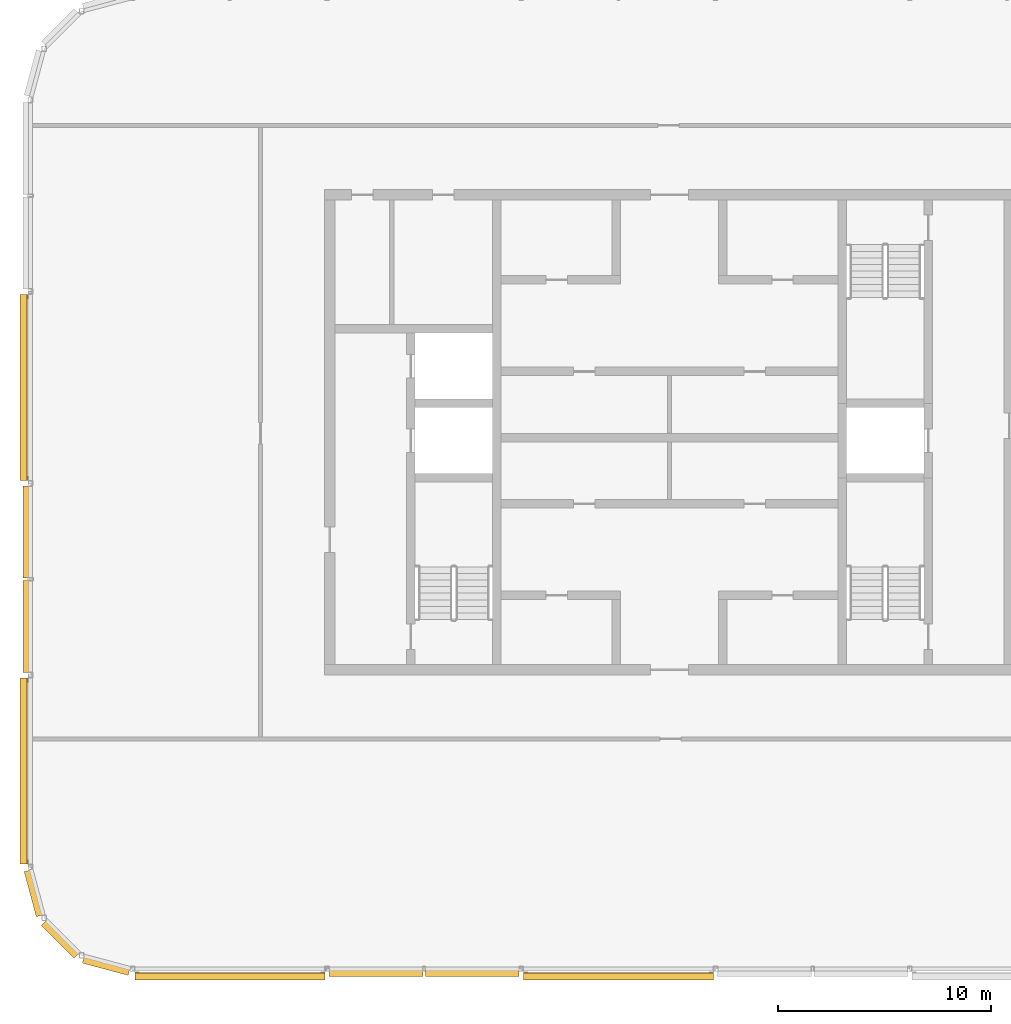
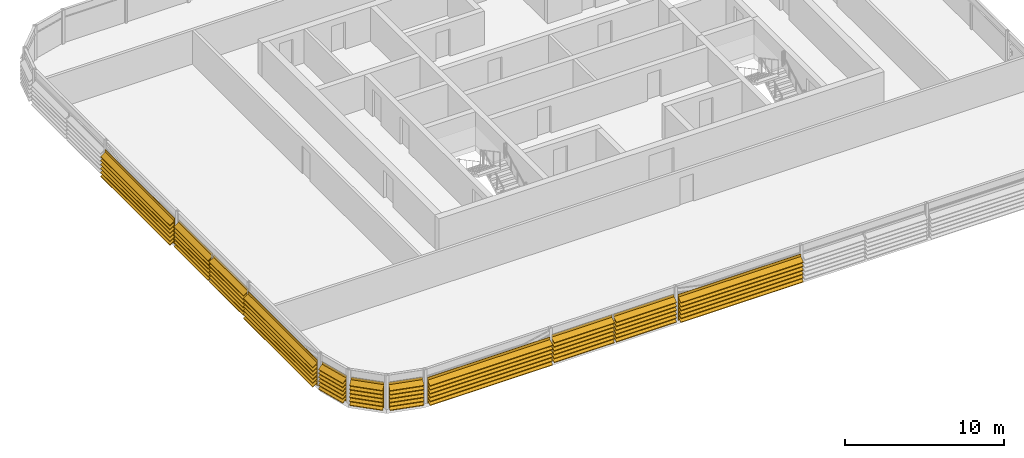
# One storey, part 23 of 27: 11 shading devices.
"""IFC4 building model written with IfcOpenShell, lengths in metres."""

from ifc_helpers import new_model, si_unit, direction, frame, origin, place, context, subcontext, project, spatial, polyline, outline, extrude, material, type_object, element, save


model = new_model("IFC4")

# Units and contexts
model_context = context("Model", 3, precision=1e-05, world=origin(), true_north=direction((0.0, 1.0)))
body_context = subcontext(model_context, "Body", "Model", "MODEL_VIEW")
ifc_project = project(units=[si_unit("LENGTHUNIT", "METRE"), si_unit("AREAUNIT", "SQUARE_METRE"), si_unit("VOLUMEUNIT", "CUBIC_METRE"), si_unit("PLANEANGLEUNIT", "RADIAN"), si_unit("MASSUNIT", "GRAM", prefix="KILO")], contexts=[model_context])

# Site, building, storey
site_placement = place(None, origin())
site = spatial("IfcSite", under=ifc_project, at=site_placement, CompositionType="ELEMENT")
building_placement = place(site_placement, origin())
building = spatial("IfcBuilding", under=site, at=building_placement, Name="Madar Terraces", CompositionType="ELEMENT")
storey_placement = place(building_placement, frame((0.0, 0.0, 314.300048828125)))
storey = spatial("IfcBuildingStorey", under=building, at=storey_placement, Name="L81", CompositionType="ELEMENT", Elevation=314.300048828125)

# Shading devices
ifc_material = material(Name="Aluminium, black anodised", Category="aluminium")
shading_device_type = type_object("IfcShadingDeviceType", Name="Crown louvre bank", PredefinedType="USERDEFINED", material=ifc_material)
shading_device_1_placement = place(storey_placement, frame((6.1015625, 1.199951171875, 0.0), z_axis=(1.0, 0.0, 0.0), x_axis=(0.0, 1.0, 0.0)))
element("IfcShadingDevice", 1, at=shading_device_1_placement, inside=storey, type_object=shading_device_type, Name="LOUVRE bank L81 1.1", ObjectType="LOUVRE", PredefinedType="USERDEFINED", context=body_context, shape_type="SweptSolid", body=[
    extrude(outline(polyline([(-0.156982421875, 0.0), (-0.18701171875, 0.0), (-0.18701171875, 0.24951171875), (-0.5146484375, 0.02001953125), (-0.5146484375, 0.06884765625), (-0.18701171875, 0.29833984375), (-0.18701171875, 0.54931640625), (-0.5146484375, 0.320068359375), (-0.5146484375, 0.368896484375), (-0.18701171875, 0.59814453125), (-0.18701171875, 0.849365234375), (-0.5146484375, 0.6201171875), (-0.5146484375, 0.6689453125), (-0.18701171875, 0.898193359375), (-0.18701171875, 1.1494140625), (-0.5146484375, 0.919921875), (-0.5146484375, 0.96875), (-0.18701171875, 1.1982421875), (-0.18701171875, 1.449462890625), (-0.5146484375, 1.219970703125), (-0.5146484375, 1.268798828125), (-0.18701171875, 1.498291015625), (-0.18701171875, 1.74951171875), (-0.5146484375, 1.52001953125), (-0.5146484375, 1.56884765625), (-0.18701171875, 1.79833984375), (-0.18701171875, 1.998046875), (-0.156982421875, 1.998046875), (-0.156982421875, 0.0)])), origin(), (0.0, 0.0, 1.0), 8.916748046875),
])
shading_device_2_placement = place(storey_placement, frame((15.2216796875, 1.199951171875, 0.0), z_axis=(1.0, 0.0, 0.0), x_axis=(0.0, 1.0, 0.0)))
element("IfcShadingDevice", 2, at=shading_device_2_placement, inside=storey, type_object=shading_device_type, Name="LOUVRE bank L81 2.1", ObjectType="LOUVRE", PredefinedType="USERDEFINED", context=body_context, shape_type="SweptSolid", body=[
    extrude(outline(polyline([(0.014892578125, 0.0), (-0.014892578125, 0.0), (-0.014892578125, 0.24951171875), (-0.3427734375, 0.02001953125), (-0.3427734375, 0.06884765625), (-0.014892578125, 0.29833984375), (-0.014892578125, 0.54931640625), (-0.3427734375, 0.320068359375), (-0.3427734375, 0.368896484375), (-0.014892578125, 0.59814453125), (-0.014892578125, 0.849365234375), (-0.3427734375, 0.6201171875), (-0.3427734375, 0.6689453125), (-0.014892578125, 0.898193359375), (-0.014892578125, 1.1494140625), (-0.3427734375, 0.919921875), (-0.3427734375, 0.96875), (-0.014892578125, 1.1982421875), (-0.014892578125, 1.449462890625), (-0.3427734375, 1.219970703125), (-0.3427734375, 1.268798828125), (-0.014892578125, 1.498291015625), (-0.014892578125, 1.74951171875), (-0.3427734375, 1.52001953125), (-0.3427734375, 1.56884765625), (-0.014892578125, 1.79833984375), (-0.014892578125, 1.998046875), (0.014892578125, 1.998046875), (0.014892578125, 0.0)])), origin(), (0.0, 0.0, 1.0), 4.394775390625),
])
shading_device_3_placement = place(storey_placement, frame((19.743408203125, 1.199951171875, 0.0), z_axis=(1.0, 0.0, 0.0), x_axis=(0.0, 1.0, 0.0)))
element("IfcShadingDevice", 3, at=shading_device_3_placement, inside=storey, type_object=shading_device_type, Name="LOUVRE bank L81 2.2", ObjectType="LOUVRE", PredefinedType="USERDEFINED", context=body_context, shape_type="SweptSolid", body=[
    extrude(outline(polyline([(0.014892578125, 0.0), (-0.014892578125, 0.0), (-0.014892578125, 0.24951171875), (-0.3427734375, 0.02001953125), (-0.3427734375, 0.06884765625), (-0.014892578125, 0.29833984375), (-0.014892578125, 0.54931640625), (-0.3427734375, 0.320068359375), (-0.3427734375, 0.368896484375), (-0.014892578125, 0.59814453125), (-0.014892578125, 0.849365234375), (-0.3427734375, 0.6201171875), (-0.3427734375, 0.6689453125), (-0.014892578125, 0.898193359375), (-0.014892578125, 1.1494140625), (-0.3427734375, 0.919921875), (-0.3427734375, 0.96875), (-0.014892578125, 1.1982421875), (-0.014892578125, 1.449462890625), (-0.3427734375, 1.219970703125), (-0.3427734375, 1.268798828125), (-0.014892578125, 1.498291015625), (-0.014892578125, 1.74951171875), (-0.3427734375, 1.52001953125), (-0.3427734375, 1.56884765625), (-0.014892578125, 1.79833984375), (-0.014892578125, 1.998046875), (0.014892578125, 1.998046875), (0.014892578125, 0.0)])), origin(), (0.0, 0.0, 1.0), 4.39501953125),
])
shading_device_4_placement = place(storey_placement, frame((24.341552734375, 1.199951171875, 0.0), z_axis=(1.0, 0.0, 0.0), x_axis=(0.0, 1.0, 0.0)))
element("IfcShadingDevice", 4, at=shading_device_4_placement, inside=storey, type_object=shading_device_type, Name="LOUVRE bank L81 3.1", ObjectType="LOUVRE", PredefinedType="USERDEFINED", context=body_context, shape_type="SweptSolid", body=[
    extrude(outline(polyline([(-0.156982421875, 0.0), (-0.18701171875, 0.0), (-0.18701171875, 0.24951171875), (-0.5146484375, 0.02001953125), (-0.5146484375, 0.06884765625), (-0.18701171875, 0.29833984375), (-0.18701171875, 0.54931640625), (-0.5146484375, 0.320068359375), (-0.5146484375, 0.368896484375), (-0.18701171875, 0.59814453125), (-0.18701171875, 0.849365234375), (-0.5146484375, 0.6201171875), (-0.5146484375, 0.6689453125), (-0.18701171875, 0.898193359375), (-0.18701171875, 1.1494140625), (-0.5146484375, 0.919921875), (-0.5146484375, 0.96875), (-0.18701171875, 1.1982421875), (-0.18701171875, 1.449462890625), (-0.5146484375, 1.219970703125), (-0.5146484375, 1.268798828125), (-0.18701171875, 1.498291015625), (-0.18701171875, 1.74951171875), (-0.5146484375, 1.52001953125), (-0.5146484375, 1.56884765625), (-0.18701171875, 1.79833984375), (-0.18701171875, 1.998046875), (-0.156982421875, 1.998046875), (-0.156982421875, 0.0)])), origin(), (0.0, 0.0, 1.0), 8.916748046875),
])
shading_device_5_placement = place(storey_placement, frame((1.199951171875, 32.873046875, 0.0), z_axis=(0.0, -1.0, 0.0), x_axis=(1.0, 0.0, 0.0)))
element("IfcShadingDevice", 5, at=shading_device_5_placement, inside=storey, type_object=shading_device_type, Name="LOUVRE bank L81 25.1", ObjectType="LOUVRE", PredefinedType="USERDEFINED", context=body_context, shape_type="SweptSolid", body=[
    extrude(outline(polyline([(-0.131591796875, 0.0), (-0.16162109375, 0.0), (-0.16162109375, 0.24951171875), (-0.4892578125, 0.02001953125), (-0.4892578125, 0.06884765625), (-0.16162109375, 0.29833984375), (-0.16162109375, 0.54931640625), (-0.4892578125, 0.320068359375), (-0.4892578125, 0.368896484375), (-0.16162109375, 0.59814453125), (-0.16162109375, 0.849365234375), (-0.4892578125, 0.6201171875), (-0.4892578125, 0.6689453125), (-0.16162109375, 0.898193359375), (-0.16162109375, 1.1494140625), (-0.4892578125, 0.919921875), (-0.4892578125, 0.96875), (-0.16162109375, 1.1982421875), (-0.16162109375, 1.449462890625), (-0.4892578125, 1.219970703125), (-0.4892578125, 1.268798828125), (-0.16162109375, 1.498291015625), (-0.16162109375, 1.74951171875), (-0.4892578125, 1.52001953125), (-0.4892578125, 1.56884765625), (-0.16162109375, 1.79833984375), (-0.16162109375, 1.998046875), (-0.131591796875, 1.998046875), (-0.131591796875, 0.0)])), origin(), (0.0, 0.0, 1.0), 8.74609375),
])
for number, where, z_axis, x_axis, name in (
    (6, (1.199951171875, 23.873046875, 0.0), (0.0, -1.0, 0.0), (1.0, 0.0, 0.0), "LOUVRE bank L81 26.1"),
    (7, (1.199951171875, 19.4365234375, 0.0), (0.0, -1.0, 0.0), (1.0, 0.0, 0.0), "LOUVRE bank L81 26.2"),
):
    element("IfcShadingDevice", number, at=place(storey_placement, frame(where, z_axis=z_axis, x_axis=x_axis)), inside=storey, type_object=shading_device_type, Name=name, ObjectType="LOUVRE", PredefinedType="USERDEFINED", context=body_context, shape_type="SweptSolid", body=[
        extrude(outline(polyline([(0.014892578125, 0.0), (-0.014892578125, 0.0), (-0.014892578125, 0.24951171875), (-0.3427734375, 0.02001953125), (-0.3427734375, 0.06884765625), (-0.014892578125, 0.29833984375), (-0.014892578125, 0.54931640625), (-0.3427734375, 0.320068359375), (-0.3427734375, 0.368896484375), (-0.014892578125, 0.59814453125), (-0.014892578125, 0.849365234375), (-0.3427734375, 0.6201171875), (-0.3427734375, 0.6689453125), (-0.014892578125, 0.898193359375), (-0.014892578125, 1.1494140625), (-0.3427734375, 0.919921875), (-0.3427734375, 0.96875), (-0.014892578125, 1.1982421875), (-0.014892578125, 1.449462890625), (-0.3427734375, 1.219970703125), (-0.3427734375, 1.268798828125), (-0.014892578125, 1.498291015625), (-0.014892578125, 1.74951171875), (-0.3427734375, 1.52001953125), (-0.3427734375, 1.56884765625), (-0.014892578125, 1.79833984375), (-0.014892578125, 1.998046875), (0.014892578125, 1.998046875), (0.014892578125, 0.0)])), origin(), (0.0, 0.0, 1.0), 4.3095703125),
    ])
shading_device_6_placement = place(storey_placement, frame((1.199951171875, 14.873046875, 0.0), z_axis=(0.0, -1.0, 0.0), x_axis=(1.0, 0.0, 0.0)))
element("IfcShadingDevice", 8, at=shading_device_6_placement, inside=storey, type_object=shading_device_type, Name="LOUVRE bank L81 27.1", ObjectType="LOUVRE", PredefinedType="USERDEFINED", context=body_context, shape_type="SweptSolid", body=[
    extrude(outline(polyline([(-0.131591796875, 0.0), (-0.16162109375, 0.0), (-0.16162109375, 0.24951171875), (-0.4892578125, 0.02001953125), (-0.4892578125, 0.06884765625), (-0.16162109375, 0.29833984375), (-0.16162109375, 0.54931640625), (-0.4892578125, 0.320068359375), (-0.4892578125, 0.368896484375), (-0.16162109375, 0.59814453125), (-0.16162109375, 0.849365234375), (-0.4892578125, 0.6201171875), (-0.4892578125, 0.6689453125), (-0.16162109375, 0.898193359375), (-0.16162109375, 1.1494140625), (-0.4892578125, 0.919921875), (-0.4892578125, 0.96875), (-0.16162109375, 1.1982421875), (-0.16162109375, 1.449462890625), (-0.4892578125, 1.219970703125), (-0.4892578125, 1.268798828125), (-0.16162109375, 1.498291015625), (-0.16162109375, 1.74951171875), (-0.4892578125, 1.52001953125), (-0.4892578125, 1.56884765625), (-0.16162109375, 1.79833984375), (-0.16162109375, 1.998046875), (-0.131591796875, 1.998046875), (-0.131591796875, 0.0)])), origin(), (0.0, 0.0, 1.0), 8.74609375),
])
shading_device_7_placement = place(storey_placement, frame((1.238525390625, 5.856201171875, 0.0), z_axis=(0.258788169352, -0.965934098893, 0.0), x_axis=(0.965934098893, 0.258788169352, 0.0)))
element("IfcShadingDevice", 9, at=shading_device_7_placement, inside=storey, type_object=shading_device_type, Name="LOUVRE bank L81 28.1", ObjectType="LOUVRE", PredefinedType="USERDEFINED", context=body_context, shape_type="SweptSolid", body=[
    extrude(outline(polyline([(0.014892578125, 0.0), (-0.014892578125, 0.0), (-0.014892578125, 0.24951171875), (-0.3427734375, 0.02001953125), (-0.3427734375, 0.06884765625), (-0.014892578125, 0.29833984375), (-0.014892578125, 0.54931640625), (-0.3427734375, 0.320068359375), (-0.3427734375, 0.368896484375), (-0.014892578125, 0.59814453125), (-0.014892578125, 0.849365234375), (-0.3427734375, 0.6201171875), (-0.3427734375, 0.6689453125), (-0.014892578125, 0.898193359375), (-0.014892578125, 1.1494140625), (-0.3427734375, 0.919921875), (-0.3427734375, 0.96875), (-0.014892578125, 1.1982421875), (-0.014892578125, 1.449462890625), (-0.3427734375, 1.219970703125), (-0.3427734375, 1.268798828125), (-0.014892578125, 1.498291015625), (-0.014892578125, 1.74951171875), (-0.3427734375, 1.52001953125), (-0.3427734375, 1.56884765625), (-0.014892578125, 1.79833984375), (-0.014892578125, 1.998046875), (0.014892578125, 1.998046875), (0.014892578125, 0.0)])), origin(), (0.0, 0.0, 1.0), 2.186767578125),
])
shading_device_8_placement = place(storey_placement, frame((1.957275390625, 3.485595703125, 0.0), z_axis=(0.707106781187, -0.707106781187, 0.0), x_axis=(0.707106781187, 0.707106781187, 0.0)))
element("IfcShadingDevice", 10, at=shading_device_8_placement, inside=storey, type_object=shading_device_type, Name="LOUVRE bank L81 29.1", ObjectType="LOUVRE", PredefinedType="USERDEFINED", context=body_context, shape_type="SweptSolid", body=[
    extrude(outline(polyline([(0.014892578125, 0.0), (-0.014892578125, 0.0), (-0.014892578125, 0.24951171875), (-0.3427734375, 0.02001953125), (-0.3427734375, 0.06884765625), (-0.014892578125, 0.29833984375), (-0.014892578125, 0.54931640625), (-0.3427734375, 0.320068359375), (-0.3427734375, 0.368896484375), (-0.014892578125, 0.59814453125), (-0.014892578125, 0.849365234375), (-0.3427734375, 0.6201171875), (-0.3427734375, 0.6689453125), (-0.014892578125, 0.898193359375), (-0.014892578125, 1.1494140625), (-0.3427734375, 0.919921875), (-0.3427734375, 0.96875), (-0.014892578125, 1.1982421875), (-0.014892578125, 1.449462890625), (-0.3427734375, 1.219970703125), (-0.3427734375, 1.268798828125), (-0.014892578125, 1.498291015625), (-0.014892578125, 1.74951171875), (-0.3427734375, 1.52001953125), (-0.3427734375, 1.56884765625), (-0.014892578125, 1.79833984375), (-0.014892578125, 1.998046875), (0.014892578125, 1.998046875), (0.014892578125, 0.0)])), origin(), (0.0, 0.0, 1.0), 2.161376953125),
])
shading_device_9_placement = place(storey_placement, frame((3.7265625, 1.80908203125, 0.0), z_axis=(0.965935304808, -0.258783668197, 0.0), x_axis=(0.258783668197, 0.965935304808, 0.0)))
element("IfcShadingDevice", 11, at=shading_device_9_placement, inside=storey, type_object=shading_device_type, Name="LOUVRE bank L81 30.1", ObjectType="LOUVRE", PredefinedType="USERDEFINED", context=body_context, shape_type="SweptSolid", body=[
    extrude(outline(polyline([(0.014892578125, 0.0), (-0.014892578125, 0.0), (-0.014892578125, 0.24951171875), (-0.3427734375, 0.02001953125), (-0.3427734375, 0.06884765625), (-0.014892578125, 0.29833984375), (-0.014892578125, 0.54931640625), (-0.3427734375, 0.320068359375), (-0.3427734375, 0.368896484375), (-0.014892578125, 0.59814453125), (-0.014892578125, 0.849365234375), (-0.3427734375, 0.6201171875), (-0.3427734375, 0.6689453125), (-0.014892578125, 0.898193359375), (-0.014892578125, 1.1494140625), (-0.3427734375, 0.919921875), (-0.3427734375, 0.96875), (-0.014892578125, 1.1982421875), (-0.014892578125, 1.449462890625), (-0.3427734375, 1.219970703125), (-0.3427734375, 1.268798828125), (-0.014892578125, 1.498291015625), (-0.014892578125, 1.74951171875), (-0.3427734375, 1.52001953125), (-0.3427734375, 1.56884765625), (-0.014892578125, 1.79833984375), (-0.014892578125, 1.998046875), (0.014892578125, 1.998046875), (0.014892578125, 0.0)])), origin(), (0.0, 0.0, 1.0), 2.22265625),
])

save(model, "model.ifc")
